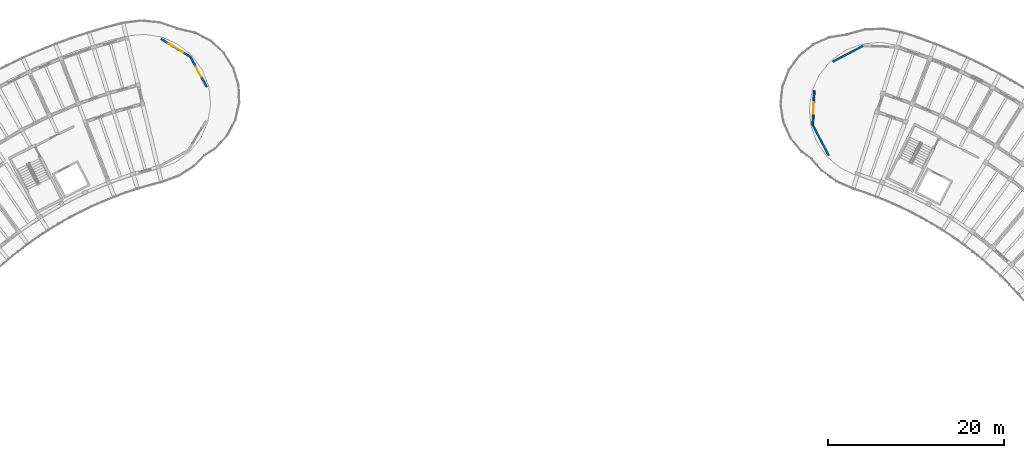
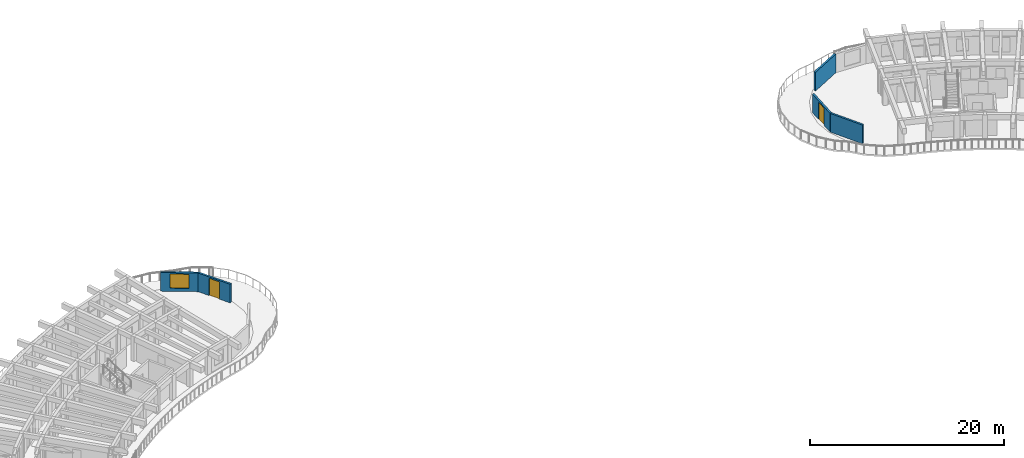
# One storey, part 22 of 36: 5 walls, 2 doors, 1 window, 3 openings.
"""IFC4 building model written with IfcOpenShell, lengths in metres."""

from ifc_helpers import new_model, si_unit, direction, frame, frame_2d, origin, place, context, subcontext, project, spatial, rectangle, extrude, material, layer, layer_set, type_object, element, fill, save


model = new_model("IFC4")

# Units and contexts
model_context = context("Model", 3, precision=1e-05, world=origin(), true_north=direction((0.0, 1.0)))
body_context = subcontext(model_context, "Body", "Model", "MODEL_VIEW")
ifc_project = project(units=[si_unit("LENGTHUNIT", "METRE"), si_unit("AREAUNIT", "SQUARE_METRE"), si_unit("VOLUMEUNIT", "CUBIC_METRE"), si_unit("PLANEANGLEUNIT", "RADIAN"), si_unit("MASSUNIT", "GRAM", prefix="KILO")], contexts=[model_context])

# Site, building, storey
site_placement = place(None, origin())
site = spatial("IfcSite", under=ifc_project, at=site_placement, CompositionType="ELEMENT")
building_placement = place(site_placement, origin())
building = spatial("IfcBuilding", under=site, at=building_placement, Name="Tanwirah Colonnade Gardens", CompositionType="ELEMENT")
storey_placement = place(building_placement, frame((0.0, 0.0, 39.080078125)))
storey = spatial("IfcBuildingStorey", under=building, at=storey_placement, Name="L11", CompositionType="ELEMENT", Elevation=39.080078125)

# Wall
ifc_material_1 = material(Name="Limestone architectural precast concrete C40/50", Category="masonry")
ifc_layer_1 = layer(ifc_material_1, 0.219970703125)
ifc_layer_set_1 = layer_set([ifc_layer_1], Name="Limestone architectural precast concrete C40/50")
wall_type_1 = type_object("IfcWallType", Name="EW-PC220", PredefinedType="SOLIDWALL", material=ifc_layer_set_1)
wall_1_placement = place(storey_placement, frame((130.940673828125, 104.7216796875, 0.0), z_axis=(0.0, 0.0, 1.0), x_axis=(-0.464273080326, 0.885692106143, 0.0)))
element("IfcWall", 1, at=wall_1_placement, inside=storey, type_object=wall_type_1, Name="Block B L11 END Rounded End Wall 1", PredefinedType="SOLIDWALL", context=body_context, shape_type="SweptSolid", body=[
    extrude(rectangle(XDim=3.908203125, YDim=0.219970703125, at=frame_2d((1.9541015625, 0.0))), origin(), (0.0, 0.0, 1.0), 2.35498046875),
])

# Wall, opening, door
wall_2_placement = place(storey_placement, frame((129.126220703125, 108.18310546875, 0.0), z_axis=(0.0, 0.0, 1.0), x_axis=(0.040669088934, 0.999172670365, 0.0)))
wall_2 = element("IfcWall", 2, at=wall_2_placement, inside=storey, type_object=wall_type_1, Name="Block B L11 END Rounded End Wall 2", PredefinedType="SOLIDWALL", context=body_context, shape_type="SweptSolid", body=[
    extrude(rectangle(XDim=3.907958984375, YDim=0.219970703125, at=frame_2d((1.9541015625, 0.0))), origin(), (0.0, 0.0, 1.0), 2.35498046875),
])
opening_1_placement = place(wall_2_placement, frame((1.32421875, 0.0, 0.0)))
opening_1 = element("IfcOpeningElement", 3, at=opening_1_placement, cuts=wall_2, Name="Opening L11-ED121", PredefinedType="OPENING", context=body_context, shape_type="SweptSolid", body=[
    extrude(rectangle(XDim=1.260009765625, YDim=2.179931640625, at=frame_2d((0.6298828125, 1.08984375))), frame((0.0, 0.119873046875, 0.0), z_axis=(0.0, -1.0, 0.0), x_axis=(1.0, 0.0, 0.0)), (0.0, 0.0, 1.0), 0.239990234375),
])
ifc_material_2 = material(Name="Bronze aluminium glazed terrace door", Category="aluminium")
door_type = type_object("IfcDoorType", Name="ED-TER126", OperationType="NOTDEFINED", PredefinedType="DOOR", material=ifc_material_2)
door_1_placement = place(opening_1_placement, origin())
door_1 = element("IfcDoor", 4, at=door_1_placement, inside=storey, type_object=door_type, Name="Stepped corner terrace door L11-ED121", OperationType="SINGLE_SWING_LEFT", OverallHeight=2.179931640625, OverallWidth=1.260009765625, PredefinedType="DOOR", context=body_context, shape_type="SweptSolid", body=[
    extrude(rectangle(XDim=1.260009765625, YDim=2.179931640625, at=frame_2d((0.6298828125, 1.08984375))), frame((0.0, 0.02490234375, 0.0), z_axis=(0.0, -1.0, 0.0), x_axis=(1.0, 0.0, 0.0)), (0.0, 0.0, 1.0), 0.050048828125),
])
fill(opening_1, door_1)

# Wall
wall_3_placement = place(storey_placement, frame((131.37548828125, 115.39013671875, 0.0), z_axis=(0.0, 0.0, 1.0), x_axis=(0.8856664179, 0.464322082399, 0.0)))
element("IfcWall", 5, at=wall_3_placement, inside=storey, type_object=wall_type_1, Name="Block B L11 END Rounded End Wall 4", PredefinedType="SOLIDWALL", context=body_context, shape_type="SweptSolid", body=[
    extrude(rectangle(XDim=3.908203125, YDim=0.219970703125, at=frame_2d((1.9541015625, 0.0))), origin(), (0.0, 0.0, 1.0), 2.35498046875),
])

# Wall, opening, window
ifc_layer_2 = layer(ifc_material_1, 0.22509765625)
ifc_layer_set_2 = layer_set([ifc_layer_2], Name="Limestone architectural precast concrete C40/50")
wall_type_2 = type_object("IfcWallType", Name="EW-PC225", PredefinedType="SOLIDWALL", material=ifc_layer_set_2)
wall_4_placement = place(storey_placement, frame((54.94921875, 117.99267578125, 0.0), z_axis=(0.0, 0.0, 1.0), x_axis=(0.85314128216, -0.521679933171, 0.0)))
wall_4 = element("IfcWall", 6, at=wall_4_placement, inside=storey, type_object=wall_type_2, Name="Block A L11 START Rounded End Wall 1", PredefinedType="SOLIDWALL", context=body_context, shape_type="SweptSolid", body=[
    extrude(rectangle(XDim=3.908203125, YDim=0.22509765625, at=frame_2d((1.9541015625, 0.0))), origin(), (0.0, 0.0, 1.0), 2.35498046875),
])
opening_2_placement = place(wall_4_placement, frame((0.97900390625, 0.0, 0.39990234375)))
opening_2 = element("IfcOpeningElement", 7, at=opening_2_placement, cuts=wall_4, Name="Opening WIN-END2", PredefinedType="OPENING", context=body_context, shape_type="SweptSolid", body=[
    extrude(rectangle(XDim=1.949951171875, YDim=1.780029296875, at=frame_2d((0.97509765625, 0.89013671875))), frame((0.0, 0.12255859375, 0.0), z_axis=(0.0, -1.0, 0.0), x_axis=(1.0, 0.0, 0.0)), (0.0, 0.0, 1.0), 0.2451171875),
])
ifc_material_3 = material(Name="Thermally broken bronze aluminium and solar low-E double glazing", Category="aluminium")
window_type = type_object("IfcWindowType", Name="WIN-END2", PartitioningType="TRIPLE_PANEL_VERTICAL", PredefinedType="WINDOW", material=ifc_material_3)
window_placement = place(opening_2_placement, origin())
window = element("IfcWindow", 8, at=window_placement, inside=storey, type_object=window_type, Name="Rounded corner window A-L11-START-1", OverallHeight=1.780029296875, OverallWidth=1.949951171875, PartitioningType="SINGLE_PANEL", PredefinedType="WINDOW", context=body_context, shape_type="SweptSolid", body=[
    extrude(rectangle(XDim=1.949951171875, YDim=1.780029296875, at=frame_2d((0.97509765625, 0.89013671875))), frame((0.0, 0.030029296875, 0.0), z_axis=(0.0, -1.0, 0.0), x_axis=(1.0, 0.0, 0.0)), (0.0, 0.0, 1.0), 0.06005859375),
])
fill(opening_2, window)

# Wall, opening, door
wall_5_placement = place(storey_placement, frame((58.283447265625, 115.953857421875, 0.0), z_axis=(0.0, 0.0, 1.0), x_axis=(0.478002823483, -0.878358298613, 0.0)))
wall_5 = element("IfcWall", 9, at=wall_5_placement, inside=storey, type_object=wall_type_2, Name="Block A L11 START Rounded End Wall 2", PredefinedType="SOLIDWALL", context=body_context, shape_type="SweptSolid", body=[
    extrude(rectangle(XDim=3.908203125, YDim=0.22509765625, at=frame_2d((1.9541015625, 0.0))), origin(), (0.0, 0.0, 1.0), 2.35498046875),
])
opening_3_placement = place(wall_5_placement, frame((1.32421875, 0.0, 0.0)))
opening_3 = element("IfcOpeningElement", 10, at=opening_3_placement, cuts=wall_5, Name="Opening L11-ED056", PredefinedType="OPENING", context=body_context, shape_type="SweptSolid", body=[
    extrude(rectangle(XDim=1.260009765625, YDim=2.179931640625, at=frame_2d((0.6298828125, 1.08984375))), frame((0.0, 0.12255859375, 0.0), z_axis=(0.0, -1.0, 0.0), x_axis=(1.0, 0.0, 0.0)), (0.0, 0.0, 1.0), 0.2451171875),
])
door_2_placement = place(opening_3_placement, origin())
door_2 = element("IfcDoor", 11, at=door_2_placement, inside=storey, type_object=door_type, Name="Stepped corner terrace door L11-ED056", OperationType="SINGLE_SWING_RIGHT", OverallHeight=2.179931640625, OverallWidth=1.260009765625, PredefinedType="DOOR", context=body_context, shape_type="SweptSolid", body=[
    extrude(rectangle(XDim=1.260009765625, YDim=2.179931640625, at=frame_2d((0.6298828125, 1.08984375))), frame((0.0, 0.02490234375, 0.0), z_axis=(0.0, -1.0, 0.0), x_axis=(1.0, 0.0, 0.0)), (0.0, 0.0, 1.0), 0.050048828125),
])
fill(opening_3, door_2)

save(model, "model.ifc")
